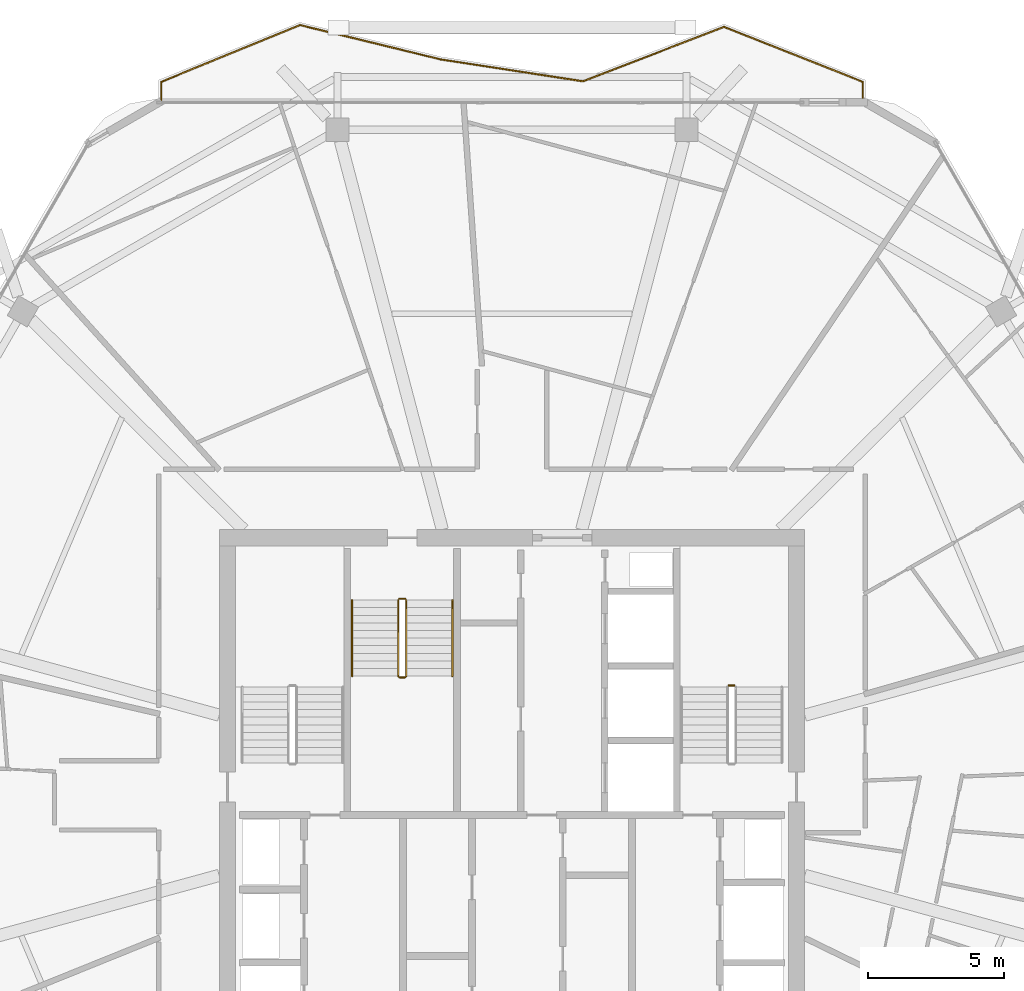
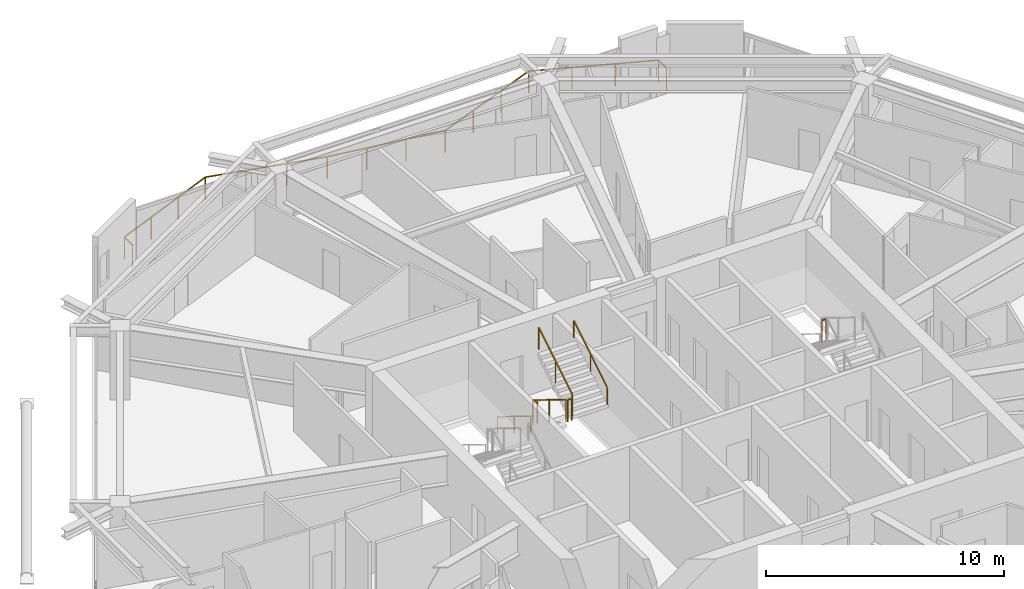
# One storey, part 26 of 26: 8 railings.
"""IFC4 building model written with IfcOpenShell, lengths in metres."""

from ifc_helpers import new_model, si_unit, direction, frame, origin, origin_2d, place, context, subcontext, project, spatial, rectangle, extrude, material, type_object, element, save


model = new_model("IFC4")

# Units and contexts
model_context = context("Model", 3, precision=1e-05, world=origin(), true_north=direction((0.0, 1.0)))
body_context = subcontext(model_context, "Body", "Model", "MODEL_VIEW")
ifc_project = project(units=[si_unit("LENGTHUNIT", "METRE"), si_unit("AREAUNIT", "SQUARE_METRE"), si_unit("VOLUMEUNIT", "CUBIC_METRE"), si_unit("PLANEANGLEUNIT", "RADIAN"), si_unit("MASSUNIT", "GRAM", prefix="KILO")], contexts=[model_context])

# Site, building, storey
site_placement = place(None, origin())
site = spatial("IfcSite", under=ifc_project, at=site_placement, CompositionType="ELEMENT")
building_placement = place(site_placement, origin())
building = spatial("IfcBuilding", under=site, at=building_placement, Name="Zuhravey Tower", CompositionType="ELEMENT")
storey_placement = place(building_placement, frame((0.0, 0.0, 299.60009765625)))
storey = spatial("IfcBuildingStorey", under=building, at=storey_placement, Name="L76", CompositionType="ELEMENT", Elevation=299.60009765625)

# Railings
ifc_material_1 = material(Name="Stainless steel 316 and laminated glass", Category="steel")
railing_type_1 = type_object("IfcRailingType", Name="Balcony & Terrace Guardrail 1150", PredefinedType="BALUSTRADE", material=ifc_material_1)
railing_1_placement = place(storey_placement, frame((23.058349609375, 57.648681640625, 0.0)))
element("IfcRailing", 1, at=railing_1_placement, inside=storey, type_object=railing_type_1, Name="L76 Face 2 Wave Balcony Guardrail GR1", PredefinedType="BALUSTRADE", context=body_context, shape_type="SweptSolid", body=[
    extrude(rectangle(XDim=0.048095703125, YDim=0.048095703125, at=origin_2d()), frame((0.0, 0.001953125, 1.1259765625), z_axis=(0.0, 1.0, 0.0), x_axis=(-1.0, 0.0, 0.0)), (0.0, 0.0, 1.0), 0.668701171875),
    extrude(rectangle(XDim=0.048095703125, YDim=0.048095703125, at=origin_2d()), frame((0.001953125, 0.67333984375, 1.1259765625), z_axis=(0.925652291283, 0.378375257704, 0.0), x_axis=(-0.378375257704, 0.925652291283, 0.0)), (0.0, 0.0, 1.0), 5.5322265625),
    extrude(rectangle(XDim=0.048095703125, YDim=0.048095703125, at=origin_2d()), frame((5.12646484375, 2.766845703125, 1.1259765625), z_axis=(0.971450755354, -0.237241290508, 0.0), x_axis=(0.237241290508, 0.971450755354, 0.0)), (0.0, 0.0, 1.0), 5.337890625),
    extrude(rectangle(XDim=0.048095703125, YDim=0.048095703125, at=origin_2d()), frame((10.31591796875, 1.499755859375, 1.1259765625), z_axis=(0.988388704617, -0.151946597806, 0.0), x_axis=(0.151946597806, 0.988388704617, 0.0)), (0.0, 0.0, 1.0), 5.3046875),
    extrude(rectangle(XDim=0.048095703125, YDim=0.048095703125, at=origin_2d()), frame((15.56298828125, 0.694091796875, 1.1259765625), z_axis=(0.933037339398, 0.35977954818, 0.0), x_axis=(-0.35977954818, 0.933037339398, 0.0)), (0.0, 0.0, 1.0), 5.57470703125),
    extrude(rectangle(XDim=0.048095703125, YDim=0.048095703125, at=origin_2d()), frame((20.76806640625, 2.69970703125, 1.1259765625), z_axis=(0.929634492587, -0.368482984943, 0.0), x_axis=(0.368482984943, 0.929634492587, 0.0)), (0.0, 0.0, 1.0), 5.50048828125),
    extrude(rectangle(XDim=0.048095703125, YDim=0.048095703125, at=origin_2d()), frame((25.88330078125, 0.670166015625, 1.1259765625), z_axis=(0.0, -1.0, 0.0), x_axis=(1.0, 0.0, 0.0)), (0.0, 0.0, 1.0), 0.668212890625),
    extrude(rectangle(XDim=0.0419921875, YDim=0.0419921875, at=origin_2d()), origin(), (0.0, 0.0, 1.0), 1.099853515625),
    extrude(rectangle(XDim=0.0419921875, YDim=0.0419921875, at=origin_2d()), frame((0.0, 0.672607421875, 0.0)), (0.0, 0.0, 1.0), 1.099853515625),
    extrude(rectangle(XDim=0.0419921875, YDim=0.0419921875, at=origin_2d()), frame((1.708251953125, 1.370849609375, 0.0)), (0.0, 0.0, 1.0), 1.099853515625),
    extrude(rectangle(XDim=0.0419921875, YDim=0.0419921875, at=origin_2d()), frame((3.416259765625, 2.069091796875, 0.0)), (0.0, 0.0, 1.0), 1.099853515625),
    extrude(rectangle(XDim=0.0419921875, YDim=0.0419921875, at=origin_2d()), frame((5.12451171875, 2.767333984375, 0.0)), (0.0, 0.0, 1.0), 1.099853515625),
    extrude(rectangle(XDim=0.0419921875, YDim=0.0419921875, at=origin_2d()), frame((6.854248046875, 2.344970703125, 0.0)), (0.0, 0.0, 1.0), 1.099853515625),
    extrude(rectangle(XDim=0.0419921875, YDim=0.0419921875, at=origin_2d()), frame((8.584228515625, 1.92236328125, 0.0)), (0.0, 0.0, 1.0), 1.099853515625),
    extrude(rectangle(XDim=0.0419921875, YDim=0.0419921875, at=origin_2d()), frame((10.31396484375, 1.5, 0.0)), (0.0, 0.0, 1.0), 1.099853515625),
    extrude(rectangle(XDim=0.0419921875, YDim=0.0419921875, at=origin_2d()), frame((12.06298828125, 1.231201171875, 0.0)), (0.0, 0.0, 1.0), 1.099853515625),
    extrude(rectangle(XDim=0.0419921875, YDim=0.0419921875, at=origin_2d()), frame((13.81201171875, 0.962158203125, 0.0)), (0.0, 0.0, 1.0), 1.099853515625),
    extrude(rectangle(XDim=0.0419921875, YDim=0.0419921875, at=origin_2d()), frame((15.56103515625, 0.693359375, 0.0)), (0.0, 0.0, 1.0), 1.099853515625),
    extrude(rectangle(XDim=0.0419921875, YDim=0.0419921875, at=origin_2d()), frame((17.296142578125, 1.3623046875, 0.0)), (0.0, 0.0, 1.0), 1.099853515625),
    extrude(rectangle(XDim=0.0419921875, YDim=0.0419921875, at=origin_2d()), frame((19.031005859375, 2.031494140625, 0.0)), (0.0, 0.0, 1.0), 1.099853515625),
    extrude(rectangle(XDim=0.0419921875, YDim=0.0419921875, at=origin_2d()), frame((20.76611328125, 2.700439453125, 0.0)), (0.0, 0.0, 1.0), 1.099853515625),
    extrude(rectangle(XDim=0.0419921875, YDim=0.0419921875, at=origin_2d()), frame((22.471923828125, 2.0244140625, 0.0)), (0.0, 0.0, 1.0), 1.099853515625),
    extrude(rectangle(XDim=0.0419921875, YDim=0.0419921875, at=origin_2d()), frame((24.177490234375, 1.34814453125, 0.0)), (0.0, 0.0, 1.0), 1.099853515625),
    extrude(rectangle(XDim=0.0419921875, YDim=0.0419921875, at=origin_2d()), frame((25.88330078125, 0.672119140625, 0.0)), (0.0, 0.0, 1.0), 1.099853515625),
    extrude(rectangle(XDim=0.0419921875, YDim=0.0419921875, at=origin_2d()), frame((25.88330078125, 0.0, 0.0)), (0.0, 0.0, 1.0), 1.099853515625),
])
ifc_material_2 = material(Name="Brushed stainless steel", Category="steel")
railing_type_2 = type_object("IfcRailingType", Name="Stair Wall Handrail 900", PredefinedType="HANDRAIL", material=ifc_material_2)
railing_2_placement = place(storey_placement, frame((30.10009765625, 39.199951171875, 0.172607421875)))
element("IfcRailing", 2, at=railing_2_placement, inside=storey, type_object=railing_type_2, Name="L76 ST3 stair handrail 1", PredefinedType="HANDRAIL", context=body_context, shape_type="SweptSolid", body=[
    extrude(rectangle(XDim=0.048095703125, YDim=0.048095703125, at=origin_2d()), frame((0.0, -0.001708984375, 0.876953125), z_axis=(0.0, -0.851089632645, 0.525020415988), x_axis=(1.0, 0.0, 0.0)), (0.0, 0.0, 1.0), 3.285888671875),
    extrude(rectangle(XDim=0.0419921875, YDim=0.0419921875, at=origin_2d()), origin(), (0.0, 0.0, 1.0), 0.849853515625),
    extrude(rectangle(XDim=0.0419921875, YDim=0.0419921875, at=origin_2d()), frame((0.0, -1.39990234375, 0.86376953125)), (0.0, 0.0, 1.0), 0.849853515625),
    extrude(rectangle(XDim=0.0419921875, YDim=0.0419921875, at=origin_2d()), frame((0.0, -2.800048828125, 1.727294921875)), (0.0, 0.0, 1.0), 0.849853515625),
])
railing_3_placement = place(storey_placement, frame((33.800048828125, 36.39990234375, 2.072509765625)))
element("IfcRailing", 3, at=railing_3_placement, inside=storey, type_object=railing_type_2, Name="L76 ST3 stair handrail 2", PredefinedType="HANDRAIL", context=body_context, shape_type="SweptSolid", body=[
    extrude(rectangle(XDim=0.048095703125, YDim=0.048095703125, at=origin_2d()), frame((0.0, 0.001708984375, 0.876953125), z_axis=(0.0, 0.851089632645, 0.525020415988), x_axis=(-1.0, 0.0, 0.0)), (0.0, 0.0, 1.0), 3.285888671875),
    extrude(rectangle(XDim=0.0419921875, YDim=0.0419921875, at=origin_2d()), origin(), (0.0, 0.0, 1.0), 0.849853515625),
    extrude(rectangle(XDim=0.0419921875, YDim=0.0419921875, at=origin_2d()), frame((0.0, 1.39990234375, 0.86376953125)), (0.0, 0.0, 1.0), 0.849853515625),
    extrude(rectangle(XDim=0.0419921875, YDim=0.0419921875, at=origin_2d()), frame((0.0, 2.800048828125, 1.727294921875)), (0.0, 0.0, 1.0), 0.849853515625),
])
ifc_material_3 = material(Name="Painted tubular steel", Category="steel")
railing_type_3 = type_object("IfcRailingType", Name="Stair Well Guardrail 1150", PredefinedType="GUARDRAIL", material=ifc_material_3)
railing_4_placement = place(storey_placement, frame((44.199951171875, 36.050048828125, 1.89990234375)))
element("IfcRailing", 4, at=railing_4_placement, inside=storey, type_object=railing_type_3, Name="L76 ST2 stair guard 2", PredefinedType="GUARDRAIL", context=body_context, shape_type="SweptSolid", body=[
    extrude(rectangle(XDim=0.048095703125, YDim=0.048095703125, at=origin_2d()), frame((-0.001953125, 0.0, 1.1259765625), z_axis=(-1.0, 0.0, 0.0), x_axis=(0.0, -1.0, 0.0)), (0.0, 0.0, 1.0), 0.196044921875),
    extrude(rectangle(XDim=0.0419921875, YDim=0.0419921875, at=origin_2d()), origin(), (0.0, 0.0, 1.0), 1.099853515625),
    extrude(rectangle(XDim=0.0419921875, YDim=0.0419921875, at=origin_2d()), frame((-0.199951171875, 0.0, 0.0)), (0.0, 0.0, 1.0), 1.099853515625),
])
railing_5_placement = place(storey_placement, frame((31.800048828125, 39.199951171875, 0.172607421875)))
element("IfcRailing", 5, at=railing_5_placement, inside=storey, type_object=railing_type_3, Name="L76 ST3 stair guard 1", PredefinedType="GUARDRAIL", context=body_context, shape_type="SweptSolid", body=[
    extrude(rectangle(XDim=0.048095703125, YDim=0.048095703125, at=origin_2d()), frame((0.0, -0.001708984375, 1.126953125), z_axis=(0.0, -0.851089632645, 0.525020415988), x_axis=(1.0, 0.0, 0.0)), (0.0, 0.0, 1.0), 3.285888671875),
    extrude(rectangle(XDim=0.0419921875, YDim=0.0419921875, at=origin_2d()), origin(), (0.0, 0.0, 1.0), 1.099853515625),
    extrude(rectangle(XDim=0.0419921875, YDim=0.0419921875, at=origin_2d()), frame((0.0, -1.39990234375, 0.86376953125)), (0.0, 0.0, 1.0), 1.099853515625),
    extrude(rectangle(XDim=0.0419921875, YDim=0.0419921875, at=origin_2d()), frame((0.0, -2.800048828125, 1.727294921875)), (0.0, 0.0, 1.0), 1.099853515625),
])
railing_6_placement = place(storey_placement, frame((31.85009765625, 36.35009765625, 1.89990234375)))
element("IfcRailing", 6, at=railing_6_placement, inside=storey, type_object=railing_type_3, Name="L76 ST3 stair guard 2", PredefinedType="GUARDRAIL", context=body_context, shape_type="SweptSolid", body=[
    extrude(rectangle(XDim=0.048095703125, YDim=0.048095703125, at=origin_2d()), frame((0.001953125, 0.0, 1.1259765625), z_axis=(1.0, 0.0, 0.0), x_axis=(0.0, 1.0, 0.0)), (0.0, 0.0, 1.0), 0.196044921875),
    extrude(rectangle(XDim=0.0419921875, YDim=0.0419921875, at=origin_2d()), origin(), (0.0, 0.0, 1.0), 1.099853515625),
    extrude(rectangle(XDim=0.0419921875, YDim=0.0419921875, at=origin_2d()), frame((0.199951171875, 0.0, 0.0)), (0.0, 0.0, 1.0), 1.099853515625),
])
railing_7_placement = place(storey_placement, frame((32.10009765625, 36.39990234375, 2.072509765625)))
element("IfcRailing", 7, at=railing_7_placement, inside=storey, type_object=railing_type_3, Name="L76 ST3 stair guard 3", PredefinedType="GUARDRAIL", context=body_context, shape_type="SweptSolid", body=[
    extrude(rectangle(XDim=0.048095703125, YDim=0.048095703125, at=origin_2d()), frame((0.0, 0.001708984375, 1.126953125), z_axis=(0.0, 0.851089632645, 0.525020415988), x_axis=(-1.0, 0.0, 0.0)), (0.0, 0.0, 1.0), 3.285888671875),
    extrude(rectangle(XDim=0.0419921875, YDim=0.0419921875, at=origin_2d()), origin(), (0.0, 0.0, 1.0), 1.099853515625),
    extrude(rectangle(XDim=0.0419921875, YDim=0.0419921875, at=origin_2d()), frame((0.0, 1.39990234375, 0.86376953125)), (0.0, 0.0, 1.0), 1.099853515625),
    extrude(rectangle(XDim=0.0419921875, YDim=0.0419921875, at=origin_2d()), frame((0.0, 2.800048828125, 1.727294921875)), (0.0, 0.0, 1.0), 1.099853515625),
])
railing_8_placement = place(storey_placement, frame((31.85009765625, 39.25, 0.0)))
element("IfcRailing", 8, at=railing_8_placement, inside=storey, type_object=railing_type_3, Name="L76 ST3 stair guard 4", PredefinedType="GUARDRAIL", context=body_context, shape_type="SweptSolid", body=[
    extrude(rectangle(XDim=0.048095703125, YDim=0.048095703125, at=origin_2d()), frame((0.001953125, 0.0, 1.1259765625), z_axis=(1.0, 0.0, 0.0), x_axis=(0.0, 1.0, 0.0)), (0.0, 0.0, 1.0), 0.196044921875),
    extrude(rectangle(XDim=0.0419921875, YDim=0.0419921875, at=origin_2d()), origin(), (0.0, 0.0, 1.0), 1.099853515625),
    extrude(rectangle(XDim=0.0419921875, YDim=0.0419921875, at=origin_2d()), frame((0.199951171875, 0.0, 0.0)), (0.0, 0.0, 1.0), 1.099853515625),
])

save(model, "model.ifc")
